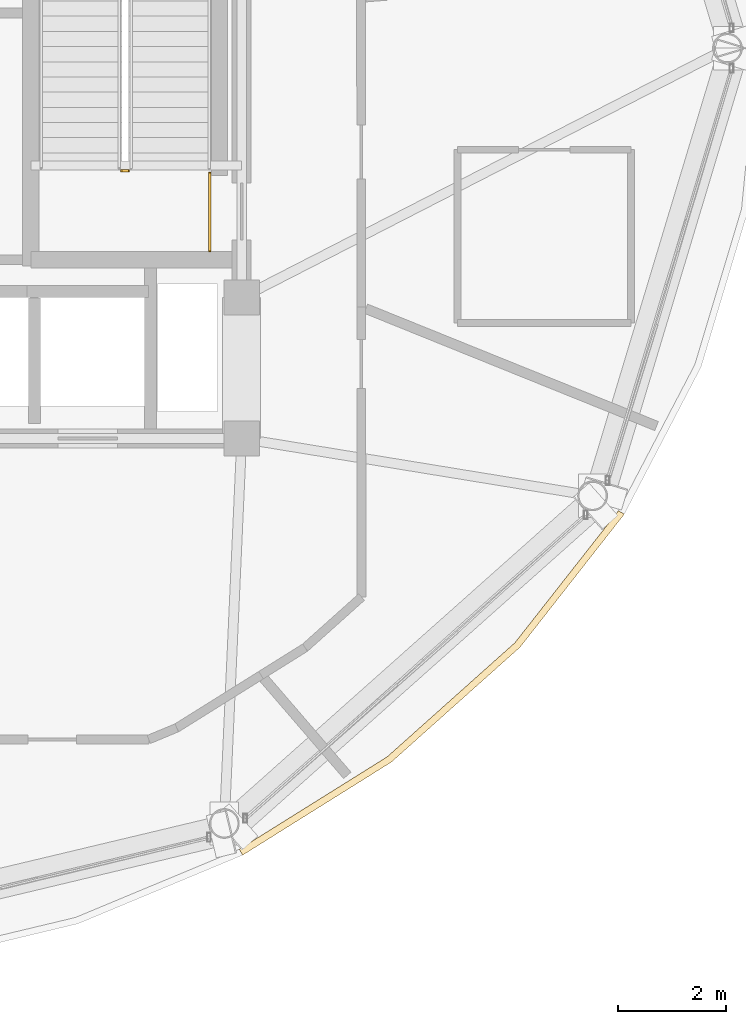
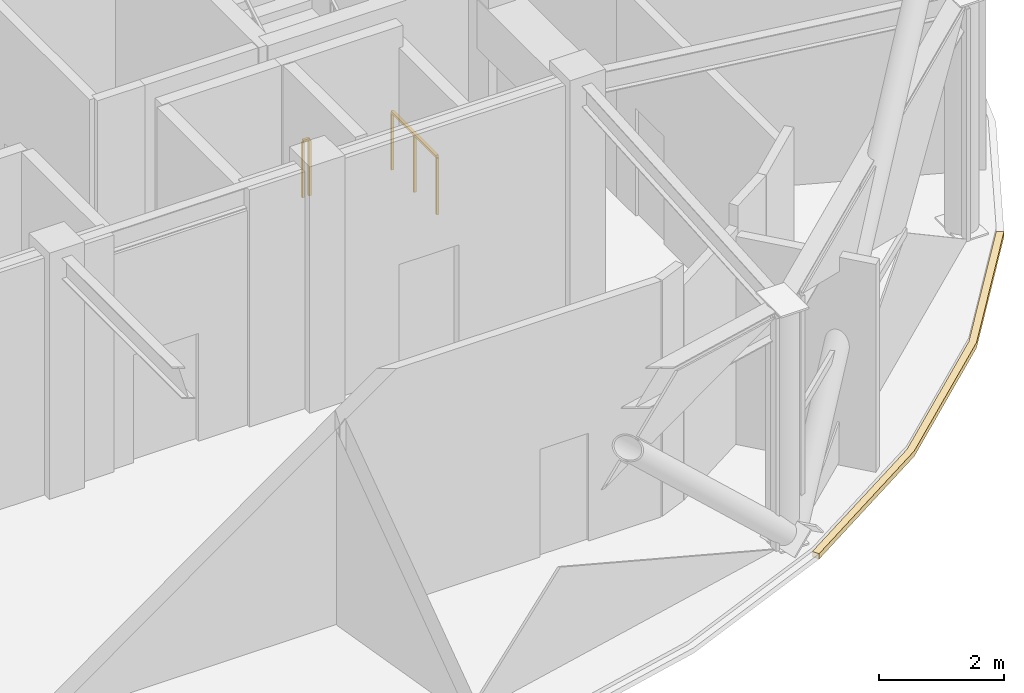
# One storey, part 25 of 27: 2 railings, 1 covering.
"""IFC4 building model written with IfcOpenShell, lengths in metres."""

from ifc_helpers import new_model, si_unit, direction, frame, origin, origin_2d, place, context, subcontext, project, spatial, polyline, rectangle, outline, extrude, material, layer, layer_set, type_object, element, save


model = new_model("IFC4")

# Units and contexts
model_context = context("Model", 3, precision=1e-05, world=origin(), true_north=direction((0.0, 1.0)))
body_context = subcontext(model_context, "Body", "Model", "MODEL_VIEW")
ifc_project = project(units=[si_unit("LENGTHUNIT", "METRE"), si_unit("AREAUNIT", "SQUARE_METRE"), si_unit("VOLUMEUNIT", "CUBIC_METRE"), si_unit("PLANEANGLEUNIT", "RADIAN"), si_unit("MASSUNIT", "GRAM", prefix="KILO")], contexts=[model_context])

# Site, building, storey
site_placement = place(None, origin())
site = spatial("IfcSite", under=ifc_project, at=site_placement, CompositionType="ELEMENT")
building_placement = place(site_placement, origin())
building = spatial("IfcBuilding", under=site, at=building_placement, Name="Vantalir Tower", CompositionType="ELEMENT")
storey_placement = place(building_placement, frame((0.0, 0.0, 290.10009765625)))
storey = spatial("IfcBuildingStorey", under=building, at=storey_placement, Name="L73", CompositionType="ELEMENT", Elevation=290.10009765625)

# Covering
ifc_material_1 = material(Name="Anodised champagne aluminium sill fascia", Category="aluminium")
ifc_layer = layer(ifc_material_1, 0.125)
ifc_layer_set = layer_set([ifc_layer], Name="Anodised champagne aluminium sill fascia")
covering_type = type_object("IfcCoveringType", Name="COV-SLAB-FASCIA-125", PredefinedType="CLADDING", material=ifc_layer_set)
covering_placement = place(storey_placement, frame((0.0, 0.0, -0.18017578125)))
element("IfcCovering", 1, at=covering_placement, inside=storey, type_object=covering_type, Name="L73 Perimeter Slab-Edge Sill Fascia 11", PredefinedType="CLADDING", context=body_context, shape_type="SweptSolid", body=[
    extrude(outline(polyline([(41.117919921875, 10.115966796875), (43.864013671875, 11.833984375), (46.235107421875, 13.951904296875), (48.157958984375, 16.406005859375), (48.050048828125, 16.468994140625), (46.138916015625, 14.032958984375), (43.783935546875, 11.929931640625), (41.054931640625, 10.22412109375), (41.117919921875, 10.115966796875)])), origin(), (0.0, 0.0, 1.0), 0.10498046875),
])

# Railings
ifc_material_2 = material(Name="Anodised aluminium and stainless steel guard", Category="steel")
railing_type = type_object("IfcRailingType", Name="RAL-GUARD-1120", PredefinedType="GUARDRAIL", material=ifc_material_2)
railing_1_placement = place(storey_placement, frame((39.010009765625, 22.739990234375, 0.0)))
element("IfcRailing", 2, at=railing_1_placement, inside=storey, type_object=railing_type, Name="L73 ST2 stair guard 4", PredefinedType="GUARDRAIL", context=body_context, shape_type="SweptSolid", body=[
    extrude(rectangle(XDim=0.048095703125, YDim=0.048095703125, at=origin_2d()), frame((0.0, 0.0, 1.09619140625), z_axis=(-1.0, 0.0, 0.0), x_axis=(0.0, -1.0, 0.0)), (0.0, 0.0, 1.0), 0.1201171875),
    extrude(rectangle(XDim=0.0419921875, YDim=0.0419921875, at=origin_2d()), origin(), (0.0, 0.0, 1.0), 1.072021484375),
    extrude(rectangle(XDim=0.0419921875, YDim=0.0419921875, at=origin_2d()), frame((-0.1201171875, 0.0, 0.0)), (0.0, 0.0, 1.0), 1.072021484375),
])
railing_2_placement = place(storey_placement, frame((40.510009765625, 21.260009765625, 0.0)))
element("IfcRailing", 3, at=railing_2_placement, inside=storey, type_object=railing_type, Name="L73 Stair ST2 Doorway Landing Guard", PredefinedType="GUARDRAIL", context=body_context, shape_type="SweptSolid", body=[
    extrude(rectangle(XDim=0.048095703125, YDim=0.048095703125, at=origin_2d()), frame((0.0, 0.0, 1.1259765625), z_axis=(0.0, 1.0, 0.0), x_axis=(-1.0, 0.0, 0.0)), (0.0, 0.0, 1.0), 1.43994140625),
    extrude(rectangle(XDim=0.0419921875, YDim=0.0419921875, at=origin_2d()), origin(), (0.0, 0.0, 1.0), 1.101806640625),
    extrude(rectangle(XDim=0.0419921875, YDim=0.0419921875, at=origin_2d()), frame((0.0, 0.719970703125, 0.0)), (0.0, 0.0, 1.0), 1.101806640625),
    extrude(rectangle(XDim=0.0419921875, YDim=0.0419921875, at=origin_2d()), frame((0.0, 1.43994140625, 0.0)), (0.0, 0.0, 1.0), 1.101806640625),
])

save(model, "model.ifc")
